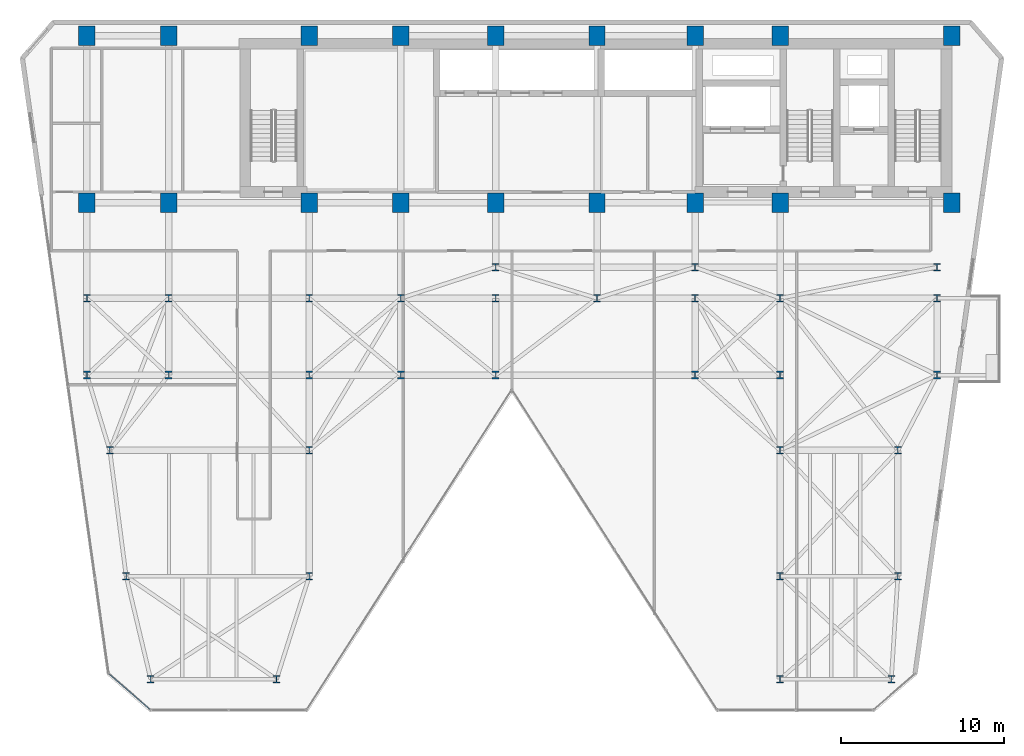
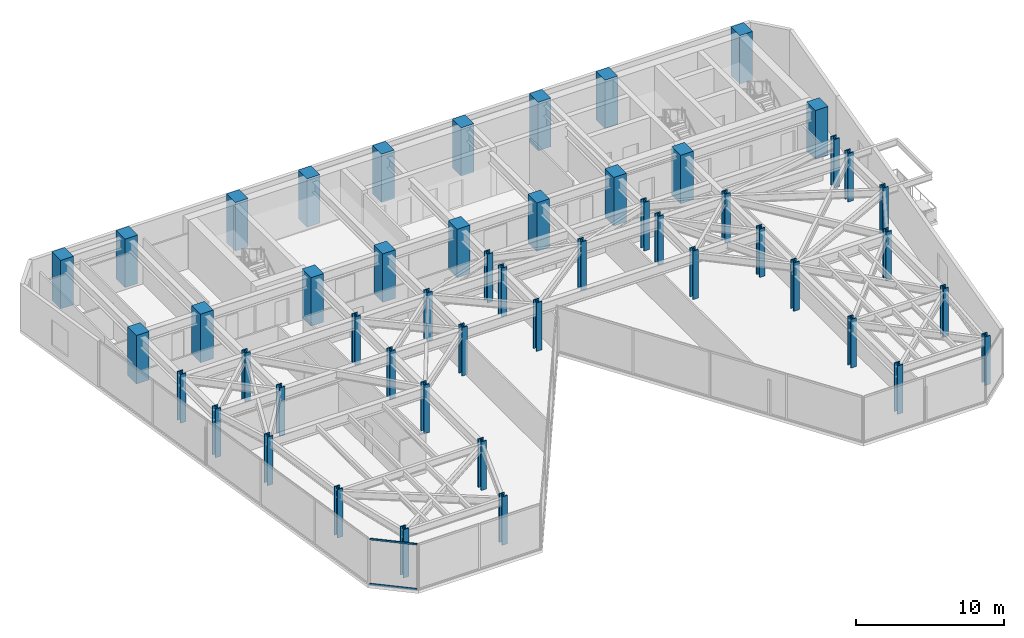
# One storey, part 1 of 26: 50 columns, 2 members, 1 element without a shape of its own.
"""IFC4 building model written with IfcOpenShell, lengths in metres."""

import ifcopenshell
import ifcopenshell.guid

model = None  # the IFC model being written
_history = None  # IfcOwnerHistory: only IFC2X3 demands one
_inside = {}  # id of a spatial element -> (the spatial element, [elements in it])
_under = {}  # id of a project, library or spatial element -> (it, [spatial elements below it])
_declared = {}  # id of a project -> (the project, [libraries it declares])
_typed = {}  # id of a type object -> (the type object, [elements of that type])
_made_of = {}  # id of a material, layer set ... -> (it, [elements and type objects made of it])


def new_model(schema):
    """Start an empty IFC model of exactly this schema.

    Asked for "IFC4X3", IfcOpenShell would pick the latest addendum, in which some entities
    have other attributes; the version numbers below select the first issue.
    IFC2X3 requires an IfcOwnerHistory on every rooted entity: one is made here for all.
    """
    global model, _history
    if schema == "IFC4X3":
        model = ifcopenshell.file(schema_version=(4, 3, 0, 0))
    else:
        model = ifcopenshell.file(schema=schema)
    _inside.clear()
    _under.clear()
    _declared.clear()
    _typed.clear()
    _made_of.clear()
    _history = None
    if model.schema == "IFC2X3":
        org = make("IfcOrganization", Name="unknown")
        user = make(
            "IfcPersonAndOrganization",
            ThePerson=make("IfcPerson", FamilyName="unknown"),
            TheOrganization=org,
        )
        app = make(
            "IfcApplication",
            ApplicationDeveloper=org,
            Version="unknown",
            ApplicationFullName="unknown",
            ApplicationIdentifier="unknown",
        )
        _history = make(
            "IfcOwnerHistory",
            OwningUser=user,
            OwningApplication=app,
            ChangeAction="ADDED",
            CreationDate=0,
        )
    return model


def make(cls, **values):
    """One entity of the class cls with the attributes given. An attribute that is None is left unset."""
    return model.create_entity(
        cls, **{name: value for name, value in values.items() if value is not None}
    )


def rooted(cls, **values):
    """An entity with a GlobalId (a new one), such as an element, a storey or a relation."""
    return make(cls, GlobalId=ifcopenshell.guid.new(), OwnerHistory=_history, **values)


def si_unit(unit_type, name, prefix=None):
    """IfcSIUnit, for example si_unit("LENGTHUNIT", "METRE", prefix="MILLI")."""
    return make("IfcSIUnit", UnitType=unit_type, Prefix=prefix, Name=name)


def assignment(units):
    """IfcUnitAssignment: the units of a project."""
    return None if units is None else make("IfcUnitAssignment", Units=units)


def point(xyz):
    """IfcCartesianPoint."""
    return None if xyz is None else make("IfcCartesianPoint", Coordinates=xyz)


def direction(xyz):
    """IfcDirection."""
    return None if xyz is None else make("IfcDirection", DirectionRatios=xyz)


def frame(location, z_axis=None, x_axis=None):
    """IfcAxis2Placement3D, a coordinate frame: its origin and axes. An axis left out is left unset."""
    return make(
        "IfcAxis2Placement3D",
        Location=point(location),
        Axis=direction(z_axis),
        RefDirection=direction(x_axis),
    )


def frame_2d(location, x_axis=None):
    """IfcAxis2Placement2D, a coordinate frame in the plane: its origin and x axis."""
    return make(
        "IfcAxis2Placement2D", Location=point(location), RefDirection=direction(x_axis)
    )


def origin():
    """The frame at (0, 0, 0) with its axes left unset."""
    return frame((0.0, 0.0, 0.0))


def origin_2d():
    """The frame at (0, 0) in the plane with its x axis left unset."""
    return frame_2d((0.0, 0.0))


def place(relative_to, where):
    """IfcLocalPlacement: puts the frame where relative to a parent placement (None: the world)."""
    return make(
        "IfcLocalPlacement", PlacementRelTo=relative_to, RelativePlacement=where
    )


def context(
    kind, dimensions, precision=None, world=None, true_north=None, identifier=None
):
    """IfcGeometricRepresentationContext, for example the 3D "Model" context."""
    return make(
        "IfcGeometricRepresentationContext",
        ContextIdentifier=identifier,
        ContextType=kind,
        CoordinateSpaceDimension=dimensions,
        Precision=precision,
        WorldCoordinateSystem=world,
        TrueNorth=true_north,
    )


def subcontext(parent, identifier, kind, view, scale=None):
    """IfcGeometricRepresentationSubContext, for example "Body" below "Model"."""
    return make(
        "IfcGeometricRepresentationSubContext",
        ContextIdentifier=identifier,
        ContextType=kind,
        ParentContext=parent,
        TargetScale=scale,
        TargetView=view,
    )


def project(units=None, contexts=None):
    """IfcProject with its units and contexts."""
    return rooted(
        "IfcProject",
        Name="project",
        RepresentationContexts=contexts,
        UnitsInContext=assignment(units),
    )


def spatial(cls, under=None, at=None, **own):
    """A site, building, storey or space (cls), placed at a placement, below another one or the project."""
    s = rooted(cls, ObjectPlacement=at, **own)
    if under is not None:
        _under.setdefault(under.id(), (under, []))[1].append(s)
    return s


def profile(cls, at=None, kind="AREA", **sizes):
    """A parametric profile (cls). Its sizes go by their IFC names, for example OverallWidth=200.0."""
    return make(cls, ProfileType=kind, Position=at, **sizes)


def rectangle(**sizes):
    """IfcRectangleProfileDef."""
    return profile("IfcRectangleProfileDef", **sizes)


def hollow_rectangle(**sizes):
    """IfcRectangleHollowProfileDef."""
    return profile("IfcRectangleHollowProfileDef", **sizes)


def i_section(**sizes):
    """IfcIShapeProfileDef."""
    return profile("IfcIShapeProfileDef", **sizes)


def extrude(swept, where, along, depth):
    """IfcExtrudedAreaSolid: the profile swept, set in the frame where, extruded along a direction by depth."""
    return make(
        "IfcExtrudedAreaSolid",
        SweptArea=swept,
        Position=where,
        ExtrudedDirection=direction(along),
        Depth=depth,
    )


def shape(context_of_items, identifier, shape_type, items):
    """IfcShapeRepresentation: the items that make up one representation, for example the "Body"."""
    return make(
        "IfcShapeRepresentation",
        ContextOfItems=context_of_items,
        RepresentationIdentifier=identifier,
        RepresentationType=shape_type,
        Items=items,
    )


def material(Name=None, Category=None):
    """IfcMaterial."""
    return make("IfcMaterial", Name=Name, Category=Category)


def layer(
    of_material, thickness, ventilated=None, Name=None, Category=None, Priority=None
):
    """IfcMaterialLayer: one layer of a wall or slab, of a material (None: an air gap)."""
    return make(
        "IfcMaterialLayer",
        Material=of_material,
        LayerThickness=thickness,
        IsVentilated=ventilated,
        Name=Name,
        Category=Category,
        Priority=Priority,
    )


def layer_set(layers, Name=None):
    """IfcMaterialLayerSet."""
    return make("IfcMaterialLayerSet", MaterialLayers=layers, LayerSetName=Name)


def material_profile(
    of_material, cross_section, Name=None, Category=None, Priority=None
):
    """IfcMaterialProfile: a cross section and its material."""
    return make(
        "IfcMaterialProfile",
        Name=Name,
        Material=of_material,
        Profile=cross_section,
        Priority=Priority,
        Category=Category,
    )


def profile_set(profiles, Name=None, composite=None):
    """IfcMaterialProfileSet."""
    return make(
        "IfcMaterialProfileSet",
        Name=Name,
        MaterialProfiles=profiles,
        CompositeProfile=composite,
    )


def made_of(thing, what):
    """Note that an element or type object is made of a material, layer set ...; save() writes the relation."""
    if what is not None:
        _made_of.setdefault(what.id(), (what, []))[1].append(thing)
    return thing


def type_object(cls, material=None, **own):
    """A type object (cls), such as IfcWallType, which elements share."""
    return made_of(rooted(cls, **own), material)


def element(
    cls,
    number,
    at=None,
    inside=None,
    cuts=None,
    type_object=None,
    material=None,
    context=None,
    identifier="Body",
    shape_type=None,
    held_by="IfcProductDefinitionShape",
    body=None,
    shapes=None,
    **own,
):
    """One element of the class cls, such as IfcWall. Its Tag is "e" and its number.

    at: its placement. inside: the storey or other place that contains it. cuts: it is an
    opening in that element (IfcRelVoidsElement). A single representation is given by context,
    identifier, shape_type and body (its items); several are given by shapes. held_by: the class
    of the entity that holds the representations. save() writes the other relations.
    """
    e = rooted(cls, Tag="e%d" % number, ObjectPlacement=at, **own)
    if body is not None:
        shapes = [shape(context, identifier, shape_type, body)]
    if shapes is not None:
        e.Representation = make(held_by, Representations=shapes)
    if inside is not None:
        _inside.setdefault(inside.id(), (inside, []))[1].append(e)
    if cuts is not None:
        rooted(
            "IfcRelVoidsElement", RelatingBuildingElement=cuts, RelatedOpeningElement=e
        )
    if type_object is not None:
        _typed.setdefault(type_object.id(), (type_object, []))[1].append(e)
    return made_of(e, material)


def aggregate(whole, parts):
    """IfcRelAggregates: a whole, such as a stair, and the parts it consists of."""
    return rooted("IfcRelAggregates", RelatingObject=whole, RelatedObjects=parts)


def save(model, path):
    """Write the relations noted so far, then the file.

    IfcRelAggregates (storeys below a building ...), IfcRelContainedInSpatialStructure (elements
    in a storey), IfcRelDefinesByType, IfcRelAssociatesMaterial and IfcRelDeclares: one each for
    every whole, place, type object, material and project.
    """
    for whole, parts in _under.values():
        aggregate(whole, parts)
    for where, things in _inside.values():
        rooted(
            "IfcRelContainedInSpatialStructure",
            RelatedElements=things,
            RelatingStructure=where,
        )
    for kind, things in _typed.values():
        rooted("IfcRelDefinesByType", RelatedObjects=things, RelatingType=kind)
    for what, things in _made_of.values():
        rooted("IfcRelAssociatesMaterial", RelatedObjects=things, RelatingMaterial=what)
    for by, libraries in _declared.values():
        rooted("IfcRelDeclares", RelatingContext=by, RelatedDefinitions=libraries)
    model.write(path)


model = new_model("IFC4")

# Units and contexts
model_context = context("Model", 3, precision=1e-05, world=origin(), true_north=direction((0.0, 1.0)))
body_context = subcontext(model_context, "Body", "Model", "MODEL_VIEW")
ifc_project = project(units=[si_unit("LENGTHUNIT", "METRE"), si_unit("AREAUNIT", "SQUARE_METRE"), si_unit("VOLUMEUNIT", "CUBIC_METRE"), si_unit("PLANEANGLEUNIT", "RADIAN"), si_unit("MASSUNIT", "GRAM", prefix="KILO")], contexts=[model_context])

# Site, building, storey
site_placement = place(None, origin())
site = spatial("IfcSite", under=ifc_project, at=site_placement, CompositionType="ELEMENT")
building_placement = place(site_placement, origin())
building = spatial("IfcBuilding", under=site, at=building_placement, Name="Kravanh Interchange Tower", CompositionType="ELEMENT")
storey_placement = place(building_placement, frame((0.0, 0.0, 112.0)))
storey = spatial("IfcBuildingStorey", under=building, at=storey_placement, Name="L26", CompositionType="ELEMENT", Elevation=112.0)

# Columns
ifc_material_1 = material(Name="Concrete C70/85", Category="concrete")
ifc_material_profile_1 = material_profile(ifc_material_1, rectangle(XDim=1.0, YDim=1.199951171875, at=origin_2d()), Name="RC1000X1200")
ifc_profile_set_1 = profile_set([ifc_material_profile_1], Name="Concrete C70/85")
column_type_1 = type_object("IfcColumnType", Name="Column RC1000X1200 Concrete C70/85", PredefinedType="COLUMN", material=ifc_profile_set_1)
for number, where, z_axis, x_axis, name in (
    (1, (66.5, 47.550048828125, 0.0), (0.0, 0.0, 1.0), (1.0, 0.0, 0.0), "L26 Column CS01"),
    (2, (56.0, 47.550048828125, 0.0), (0.0, 0.0, 1.0), (1.0, 0.0, 0.0), "L26 Column CS02"),
    (3, (66.5, 37.35009765625, 0.0), (0.0, 0.0, 1.0), (1.0, 0.0, 0.0), "L26 Column CS03"),
    (4, (56.0, 37.35009765625, 0.0), (0.0, 0.0, 1.0), (1.0, 0.0, 0.0), "L26 Column CS04"),
    (5, (50.800048828125, 47.550048828125, 0.0), (0.0, 0.0, 1.0), (1.0, 0.0, 0.0), "L26 Column CS05"),
    (6, (50.800048828125, 37.35009765625, 0.0), (0.0, 0.0, 1.0), (1.0, 0.0, 0.0), "L26 Column CS06"),
    (7, (44.800048828125, 37.35009765625, 0.0), (0.0, 0.0, 1.0), (1.0, 0.0, 0.0), "L26 Column CS07"),
    (8, (44.800048828125, 47.550048828125, 0.0), (0.0, 0.0, 1.0), (1.0, 0.0, 0.0), "L26 Column CS08"),
    (9, (38.60009765625, 37.35009765625, 0.0), (0.0, 0.0, 1.0), (1.0, 0.0, 0.0), "L26 Column CS09"),
    (10, (38.60009765625, 47.550048828125, 0.0), (0.0, 0.0, 1.0), (1.0, 0.0, 0.0), "L26 Column CS10"),
    (11, (32.800048828125, 37.35009765625, 0.0), (0.0, 0.0, 1.0), (1.0, 0.0, 0.0), "L26 Column CS11"),
    (12, (32.800048828125, 47.550048828125, 0.0), (0.0, 0.0, 1.0), (1.0, 0.0, 0.0), "L26 Column CS12"),
    (13, (27.199951171875, 37.35009765625, 0.0), (0.0, 0.0, 1.0), (1.0, 0.0, 0.0), "L26 Column CS13"),
    (14, (27.199951171875, 47.550048828125, 0.0), (0.0, 0.0, 1.0), (1.0, 0.0, 0.0), "L26 Column CS14"),
    (15, (18.60009765625, 37.35009765625, 0.0), (0.0, 0.0, 1.0), (1.0, 0.0, 0.0), "L26 Column CS17"),
    (16, (18.60009765625, 47.550048828125, 0.0), (0.0, 0.0, 1.0), (1.0, 0.0, 0.0), "L26 Column CS18"),
    (17, (13.60009765625, 37.35009765625, 0.0), (0.0, 0.0, 1.0), (1.0, 0.0, 0.0), "L26 Column CS19"),
    (18, (13.60009765625, 47.550048828125, 0.0), (0.0, 0.0, 1.0), (1.0, 0.0, 0.0), "L26 Column CS20"),
):
    element("IfcColumn", number, at=place(storey_placement, frame(where, z_axis=z_axis, x_axis=x_axis)), inside=storey, type_object=column_type_1, Name=name, PredefinedType="COLUMN", context=body_context, shape_type="SweptSolid", body=[
        extrude(rectangle(XDim=1.0, YDim=1.199951171875, at=origin_2d()), origin(), (0.0, 0.0, 1.0), 4.0),
    ])
ifc_material_2 = material(Name="Structural Steel S450", Category="steel")
ifc_material_profile_2 = material_profile(ifc_material_2, i_section(OverallWidth=0.424072265625, OverallDepth=0.47412109375, WebThickness=0.047607421875, FlangeThickness=0.0771484375, FilletRadius=0.030029296875, at=origin_2d()), Name="W14X426")
ifc_profile_set_2 = profile_set([ifc_material_profile_2], Name="Structural Steel S450")
column_type_2 = type_object("IfcColumnType", Name="Column W14X426 Structural Steel S450", PredefinedType="COLUMN", material=ifc_profile_set_2)
for number, where, z_axis, x_axis, name in (
    (19, (17.5, 8.199951171875, 0.0), (0.0, 0.0, 1.0), (1.0, 0.0, 0.0), "L26 Column CZ2_1"),
    (20, (13.60009765625, 26.800048828125, 0.0), (0.0, 0.0, 1.0), (1.0, 0.0, 0.0), "L26 Column CZ2_11"),
    (21, (18.60009765625, 26.800048828125, 0.0), (0.0, 0.0, 1.0), (1.0, 0.0, 0.0), "L26 Column CZ2_12"),
    (22, (27.199951171875, 26.800048828125, 0.0), (0.0, 0.0, 1.0), (1.0, 0.0, 0.0), "L26 Column CZ2_13"),
    (23, (32.800048828125, 26.800048828125, 0.0), (0.0, 0.0, 1.0), (1.0, 0.0, 0.0), "L26 Column CZ2_14"),
    (24, (38.60009765625, 26.800048828125, 0.0), (0.0, 0.0, 1.0), (1.0, 0.0, 0.0), "L26 Column CZ2_14B"),
    (25, (50.800048828125, 26.800048828125, 0.0), (0.0, 0.0, 1.0), (1.0, 0.0, 0.0), "L26 Column CZ2_15"),
    (26, (56.0, 26.800048828125, 0.0), (0.0, 0.0, 1.0), (1.0, 0.0, 0.0), "L26 Column CZ2_16"),
    (27, (65.60009765625, 26.800048828125, 0.0), (0.0, 0.0, 1.0), (1.0, 0.0, 0.0), "L26 Column CZ2_17"),
    (28, (13.60009765625, 31.5, 0.0), (0.0, 0.0, 1.0), (1.0, 0.0, 0.0), "L26 Column CZ2_18"),
    (29, (18.60009765625, 31.5, 0.0), (0.0, 0.0, 1.0), (1.0, 0.0, 0.0), "L26 Column CZ2_18B"),
    (30, (27.199951171875, 31.5, 0.0), (0.0, 0.0, 1.0), (1.0, 0.0, 0.0), "L26 Column CZ2_19"),
    (31, (25.199951171875, 8.199951171875, 0.0), (0.0, 0.0, 1.0), (1.0, 0.0, 0.0), "L26 Column CZ2_2"),
    (32, (32.800048828125, 31.5, 0.0), (0.0, 0.0, 1.0), (1.0, 0.0, 0.0), "L26 Column CZ2_20"),
    (33, (38.60009765625, 31.5, 0.0), (0.0, 0.0, 1.0), (1.0, 0.0, 0.0), "L26 Column CZ2_21"),
    (34, (44.800048828125, 31.5, 0.0), (0.0, 0.0, 1.0), (1.0, 0.0, 0.0), "L26 Column CZ2_22"),
    (35, (50.800048828125, 31.5, 0.0), (0.0, 0.0, 1.0), (1.0, 0.0, 0.0), "L26 Column CZ2_23"),
    (36, (56.0, 31.5, 0.0), (0.0, 0.0, 1.0), (1.0, 0.0, 0.0), "L26 Column CZ2_24"),
    (37, (65.60009765625, 31.5, 0.0), (0.0, 0.0, 1.0), (1.0, 0.0, 0.0), "L26 Column CZ2_25"),
    (38, (56.0, 8.199951171875, 0.0), (0.0, 0.0, 1.0), (1.0, 0.0, 0.0), "L26 Column CZ2_3"),
    (39, (62.800048828125, 8.199951171875, 0.0), (0.0, 0.0, 1.0), (1.0, 0.0, 0.0), "L26 Column CZ2_4"),
    (40, (16.0, 14.5, 0.0), (0.0, 0.0, 1.0), (1.0, 0.0, 0.0), "L26 Column CZ2_5"),
    (41, (27.199951171875, 14.5, 0.0), (0.0, 0.0, 1.0), (1.0, 0.0, 0.0), "L26 Column CZ2_5B"),
    (42, (56.0, 14.5, 0.0), (0.0, 0.0, 1.0), (1.0, 0.0, 0.0), "L26 Column CZ2_5C"),
    (43, (63.199951171875, 14.5, 0.0), (0.0, 0.0, 1.0), (1.0, 0.0, 0.0), "L26 Column CZ2_5D"),
    (44, (15.0, 22.199951171875, 0.0), (0.0, 0.0, 1.0), (1.0, 0.0, 0.0), "L26 Column CZ2_6"),
    (45, (27.199951171875, 22.199951171875, 0.0), (0.0, 0.0, 1.0), (1.0, 0.0, 0.0), "L26 Column CZ2_7"),
    (46, (56.0, 22.199951171875, 0.0), (0.0, 0.0, 1.0), (1.0, 0.0, 0.0), "L26 Column CZ2_8"),
    (47, (63.199951171875, 22.199951171875, 0.0), (0.0, 0.0, 1.0), (1.0, 0.0, 0.0), "L26 Column CZ2_9"),
    (48, (38.60009765625, 33.39990234375, 0.0), (0.0, 0.0, 1.0), (1.0, 0.0, 0.0), "L26 Column CZ2_M1"),
    (49, (50.800048828125, 33.39990234375, 0.0), (0.0, 0.0, 1.0), (1.0, 0.0, 0.0), "L26 Column CZ2_M2"),
    (50, (65.60009765625, 33.39990234375, 0.0), (0.0, 0.0, 1.0), (1.0, 0.0, 0.0), "L26 Column CZ2_M3"),
):
    element("IfcColumn", number, at=place(storey_placement, frame(where, z_axis=z_axis, x_axis=x_axis)), inside=storey, type_object=column_type_2, Name=name, PredefinedType="COLUMN", context=body_context, shape_type="SweptSolid", body=[
        extrude(i_section(OverallWidth=0.424072265625, OverallDepth=0.47412109375, WebThickness=0.047607421875, FlangeThickness=0.0771484375, FilletRadius=0.030029296875, at=origin_2d()), origin(), (0.0, 0.0, 1.0), 4.0),
    ])

# Curtain wall, members
ifc_material_3 = material(Name="Anodised Bronze Aluminium", Category="aluminium")
ifc_layer = layer(ifc_material_3, 0.179931640625)
ifc_layer_set = layer_set([ifc_layer], Name="Unitised Curtain Wall System CW-Z2 Mid Office")
curtain_wall_type = type_object("IfcCurtainWallType", Name="Unitised Curtain Wall System CW-Z2 Mid Office", PredefinedType="NOTDEFINED", material=ifc_layer_set)
curtain_wall_placement = place(storey_placement, origin())
curtain_wall = element("IfcCurtainWall", 51, at=curtain_wall_placement, inside=storey, type_object=curtain_wall_type, Name="L26 Unitised Curtain Wall CW-L26-07", PredefinedType="NOTDEFINED")
ifc_material_4 = material(Name="Anodised Bronze Aluminium", Category="aluminium")
ifc_material_profile_3 = material_profile(ifc_material_4, hollow_rectangle(XDim=0.06005859375, YDim=0.139892578125, WallThickness=0.00390625, at=origin_2d()), Name="ALU60X140X4")
ifc_profile_set_3 = profile_set([ifc_material_profile_3], Name="Anodised Bronze Aluminium")
member_type = type_object("IfcMemberType", Name="Curtain Wall Transom ALU60X140X4 Bronze", PredefinedType="USERDEFINED", material=ifc_profile_set_3)
member_1_placement = place(storey_placement, frame((17.444580078125, 6.359375, 0.030029296875), z_axis=(-0.754742467432, 0.656021194669, 0.0), x_axis=(-0.656021194669, -0.754742467432, 0.0)))
member_1 = element("IfcMember", 52, at=member_1_placement, type_object=member_type, Name="CW-Z2 transom 1.1", ObjectType="TRANSOM", PredefinedType="USERDEFINED", context=body_context, shape_type="SweptSolid", body=[
    extrude(hollow_rectangle(XDim=0.06005859375, YDim=0.139892578125, WallThickness=0.00390625, at=origin_2d()), origin(), (0.0, 0.0, 1.0), 3.261962890625),
])
member_2_placement = place(storey_placement, frame((17.444580078125, 6.359375, 3.719970703125), z_axis=(-0.754742467432, 0.656021194669, 0.0), x_axis=(-0.656021194669, -0.754742467432, 0.0)))
member_2 = element("IfcMember", 53, at=member_2_placement, type_object=member_type, Name="CW-Z2 transom 1.2", ObjectType="TRANSOM", PredefinedType="USERDEFINED", context=body_context, shape_type="SweptSolid", body=[
    extrude(hollow_rectangle(XDim=0.06005859375, YDim=0.139892578125, WallThickness=0.00390625, at=origin_2d()), origin(), (0.0, 0.0, 1.0), 3.261962890625),
])
aggregate(curtain_wall, [member_1, member_2])

save(model, "model.ifc")
